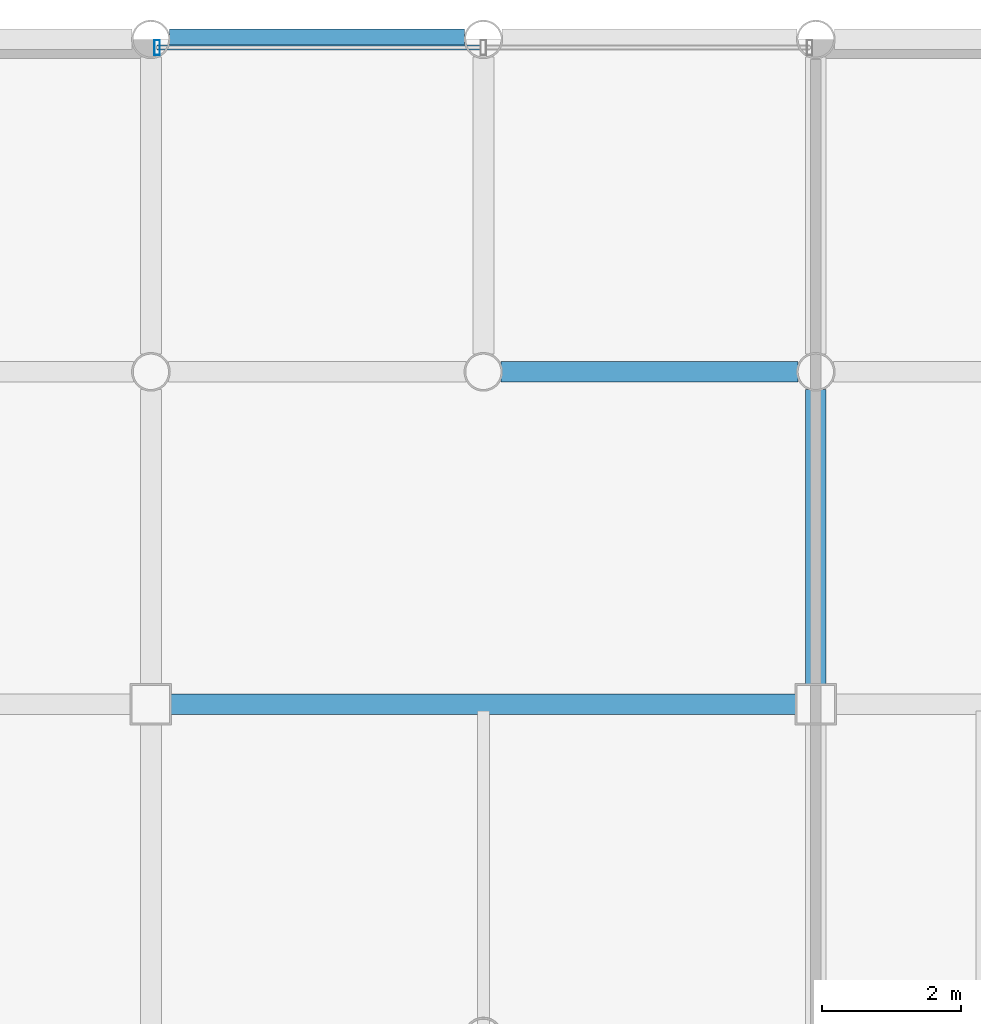
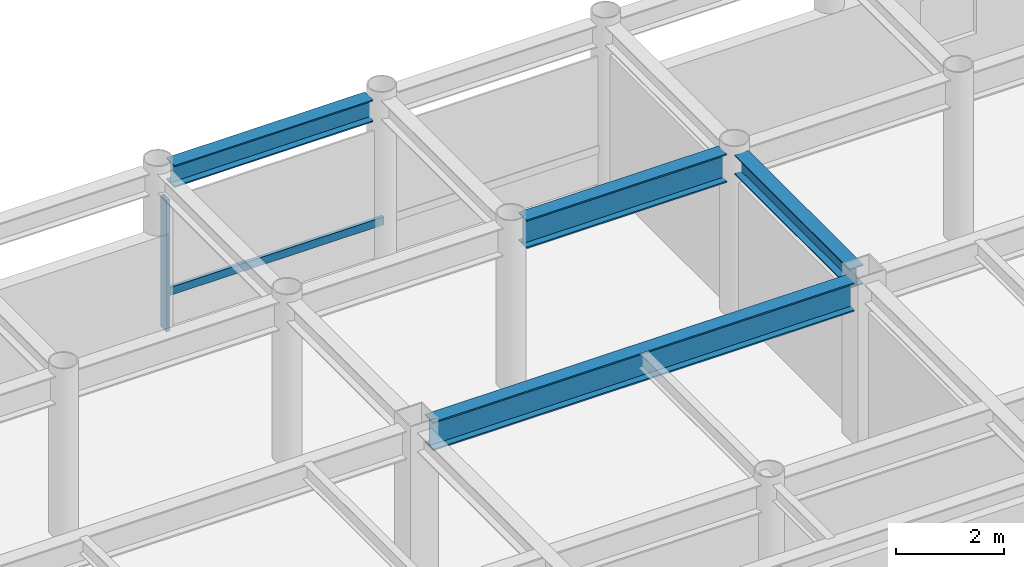
# One storey, part 14 of 21: 4 beams, 2 members, 1 element without a shape of its own.
"""IFC4 building model written with IfcOpenShell, lengths in metres."""

import ifcopenshell
import ifcopenshell.guid

model = None  # the IFC model being written
_history = None  # IfcOwnerHistory: only IFC2X3 demands one
_inside = {}  # id of a spatial element -> (the spatial element, [elements in it])
_under = {}  # id of a project, library or spatial element -> (it, [spatial elements below it])
_declared = {}  # id of a project -> (the project, [libraries it declares])
_typed = {}  # id of a type object -> (the type object, [elements of that type])
_made_of = {}  # id of a material, layer set ... -> (it, [elements and type objects made of it])


def new_model(schema):
    """Start an empty IFC model of exactly this schema.

    Asked for "IFC4X3", IfcOpenShell would pick the latest addendum, in which some entities
    have other attributes; the version numbers below select the first issue.
    IFC2X3 requires an IfcOwnerHistory on every rooted entity: one is made here for all.
    """
    global model, _history
    if schema == "IFC4X3":
        model = ifcopenshell.file(schema_version=(4, 3, 0, 0))
    else:
        model = ifcopenshell.file(schema=schema)
    _inside.clear()
    _under.clear()
    _declared.clear()
    _typed.clear()
    _made_of.clear()
    _history = None
    if model.schema == "IFC2X3":
        org = make("IfcOrganization", Name="unknown")
        user = make(
            "IfcPersonAndOrganization",
            ThePerson=make("IfcPerson", FamilyName="unknown"),
            TheOrganization=org,
        )
        app = make(
            "IfcApplication",
            ApplicationDeveloper=org,
            Version="unknown",
            ApplicationFullName="unknown",
            ApplicationIdentifier="unknown",
        )
        _history = make(
            "IfcOwnerHistory",
            OwningUser=user,
            OwningApplication=app,
            ChangeAction="ADDED",
            CreationDate=0,
        )
    return model


def make(cls, **values):
    """One entity of the class cls with the attributes given. An attribute that is None is left unset."""
    return model.create_entity(
        cls, **{name: value for name, value in values.items() if value is not None}
    )


def rooted(cls, **values):
    """An entity with a GlobalId (a new one), such as an element, a storey or a relation."""
    return make(cls, GlobalId=ifcopenshell.guid.new(), OwnerHistory=_history, **values)


def si_unit(unit_type, name, prefix=None):
    """IfcSIUnit, for example si_unit("LENGTHUNIT", "METRE", prefix="MILLI")."""
    return make("IfcSIUnit", UnitType=unit_type, Prefix=prefix, Name=name)


def assignment(units):
    """IfcUnitAssignment: the units of a project."""
    return None if units is None else make("IfcUnitAssignment", Units=units)


def point(xyz):
    """IfcCartesianPoint."""
    return None if xyz is None else make("IfcCartesianPoint", Coordinates=xyz)


def direction(xyz):
    """IfcDirection."""
    return None if xyz is None else make("IfcDirection", DirectionRatios=xyz)


def frame(location, z_axis=None, x_axis=None):
    """IfcAxis2Placement3D, a coordinate frame: its origin and axes. An axis left out is left unset."""
    return make(
        "IfcAxis2Placement3D",
        Location=point(location),
        Axis=direction(z_axis),
        RefDirection=direction(x_axis),
    )


def frame_2d(location, x_axis=None):
    """IfcAxis2Placement2D, a coordinate frame in the plane: its origin and x axis."""
    return make(
        "IfcAxis2Placement2D", Location=point(location), RefDirection=direction(x_axis)
    )


def origin():
    """The frame at (0, 0, 0) with its axes left unset."""
    return frame((0.0, 0.0, 0.0))


def origin_2d():
    """The frame at (0, 0) in the plane with its x axis left unset."""
    return frame_2d((0.0, 0.0))


def place(relative_to, where):
    """IfcLocalPlacement: puts the frame where relative to a parent placement (None: the world)."""
    return make(
        "IfcLocalPlacement", PlacementRelTo=relative_to, RelativePlacement=where
    )


def context(
    kind, dimensions, precision=None, world=None, true_north=None, identifier=None
):
    """IfcGeometricRepresentationContext, for example the 3D "Model" context."""
    return make(
        "IfcGeometricRepresentationContext",
        ContextIdentifier=identifier,
        ContextType=kind,
        CoordinateSpaceDimension=dimensions,
        Precision=precision,
        WorldCoordinateSystem=world,
        TrueNorth=true_north,
    )


def subcontext(parent, identifier, kind, view, scale=None):
    """IfcGeometricRepresentationSubContext, for example "Body" below "Model"."""
    return make(
        "IfcGeometricRepresentationSubContext",
        ContextIdentifier=identifier,
        ContextType=kind,
        ParentContext=parent,
        TargetScale=scale,
        TargetView=view,
    )


def project(units=None, contexts=None):
    """IfcProject with its units and contexts."""
    return rooted(
        "IfcProject",
        Name="project",
        RepresentationContexts=contexts,
        UnitsInContext=assignment(units),
    )


def spatial(cls, under=None, at=None, **own):
    """A site, building, storey or space (cls), placed at a placement, below another one or the project."""
    s = rooted(cls, ObjectPlacement=at, **own)
    if under is not None:
        _under.setdefault(under.id(), (under, []))[1].append(s)
    return s


def profile(cls, at=None, kind="AREA", **sizes):
    """A parametric profile (cls). Its sizes go by their IFC names, for example OverallWidth=200.0."""
    return make(cls, ProfileType=kind, Position=at, **sizes)


def hollow_rectangle(**sizes):
    """IfcRectangleHollowProfileDef."""
    return profile("IfcRectangleHollowProfileDef", **sizes)


def i_section(**sizes):
    """IfcIShapeProfileDef."""
    return profile("IfcIShapeProfileDef", **sizes)


def extrude(swept, where, along, depth):
    """IfcExtrudedAreaSolid: the profile swept, set in the frame where, extruded along a direction by depth."""
    return make(
        "IfcExtrudedAreaSolid",
        SweptArea=swept,
        Position=where,
        ExtrudedDirection=direction(along),
        Depth=depth,
    )


def shape(context_of_items, identifier, shape_type, items):
    """IfcShapeRepresentation: the items that make up one representation, for example the "Body"."""
    return make(
        "IfcShapeRepresentation",
        ContextOfItems=context_of_items,
        RepresentationIdentifier=identifier,
        RepresentationType=shape_type,
        Items=items,
    )


def material(Name=None, Category=None):
    """IfcMaterial."""
    return make("IfcMaterial", Name=Name, Category=Category)


def layer(
    of_material, thickness, ventilated=None, Name=None, Category=None, Priority=None
):
    """IfcMaterialLayer: one layer of a wall or slab, of a material (None: an air gap)."""
    return make(
        "IfcMaterialLayer",
        Material=of_material,
        LayerThickness=thickness,
        IsVentilated=ventilated,
        Name=Name,
        Category=Category,
        Priority=Priority,
    )


def layer_set(layers, Name=None):
    """IfcMaterialLayerSet."""
    return make("IfcMaterialLayerSet", MaterialLayers=layers, LayerSetName=Name)


def material_profile(
    of_material, cross_section, Name=None, Category=None, Priority=None
):
    """IfcMaterialProfile: a cross section and its material."""
    return make(
        "IfcMaterialProfile",
        Name=Name,
        Material=of_material,
        Profile=cross_section,
        Priority=Priority,
        Category=Category,
    )


def profile_set(profiles, Name=None, composite=None):
    """IfcMaterialProfileSet."""
    return make(
        "IfcMaterialProfileSet",
        Name=Name,
        MaterialProfiles=profiles,
        CompositeProfile=composite,
    )


def made_of(thing, what):
    """Note that an element or type object is made of a material, layer set ...; save() writes the relation."""
    if what is not None:
        _made_of.setdefault(what.id(), (what, []))[1].append(thing)
    return thing


def type_object(cls, material=None, **own):
    """A type object (cls), such as IfcWallType, which elements share."""
    return made_of(rooted(cls, **own), material)


def element(
    cls,
    number,
    at=None,
    inside=None,
    cuts=None,
    type_object=None,
    material=None,
    context=None,
    identifier="Body",
    shape_type=None,
    held_by="IfcProductDefinitionShape",
    body=None,
    shapes=None,
    **own,
):
    """One element of the class cls, such as IfcWall. Its Tag is "e" and its number.

    at: its placement. inside: the storey or other place that contains it. cuts: it is an
    opening in that element (IfcRelVoidsElement). A single representation is given by context,
    identifier, shape_type and body (its items); several are given by shapes. held_by: the class
    of the entity that holds the representations. save() writes the other relations.
    """
    e = rooted(cls, Tag="e%d" % number, ObjectPlacement=at, **own)
    if body is not None:
        shapes = [shape(context, identifier, shape_type, body)]
    if shapes is not None:
        e.Representation = make(held_by, Representations=shapes)
    if inside is not None:
        _inside.setdefault(inside.id(), (inside, []))[1].append(e)
    if cuts is not None:
        rooted(
            "IfcRelVoidsElement", RelatingBuildingElement=cuts, RelatedOpeningElement=e
        )
    if type_object is not None:
        _typed.setdefault(type_object.id(), (type_object, []))[1].append(e)
    return made_of(e, material)


def aggregate(whole, parts):
    """IfcRelAggregates: a whole, such as a stair, and the parts it consists of."""
    return rooted("IfcRelAggregates", RelatingObject=whole, RelatedObjects=parts)


def save(model, path):
    """Write the relations noted so far, then the file.

    IfcRelAggregates (storeys below a building ...), IfcRelContainedInSpatialStructure (elements
    in a storey), IfcRelDefinesByType, IfcRelAssociatesMaterial and IfcRelDeclares: one each for
    every whole, place, type object, material and project.
    """
    for whole, parts in _under.values():
        aggregate(whole, parts)
    for where, things in _inside.values():
        rooted(
            "IfcRelContainedInSpatialStructure",
            RelatedElements=things,
            RelatingStructure=where,
        )
    for kind, things in _typed.values():
        rooted("IfcRelDefinesByType", RelatedObjects=things, RelatingType=kind)
    for what, things in _made_of.values():
        rooted("IfcRelAssociatesMaterial", RelatedObjects=things, RelatingMaterial=what)
    for by, libraries in _declared.values():
        rooted("IfcRelDeclares", RelatingContext=by, RelatedDefinitions=libraries)
    model.write(path)


model = new_model("IFC4")

# Units and contexts
model_context = context("Model", 3, precision=1e-05, world=origin(), true_north=direction((0.0, 1.0)))
body_context = subcontext(model_context, "Body", "Model", "MODEL_VIEW")
ifc_project = project(units=[si_unit("LENGTHUNIT", "METRE"), si_unit("AREAUNIT", "SQUARE_METRE"), si_unit("VOLUMEUNIT", "CUBIC_METRE"), si_unit("PLANEANGLEUNIT", "RADIAN"), si_unit("MASSUNIT", "GRAM", prefix="KILO")], contexts=[model_context])

# Site, building, storey
site_placement = place(None, origin())
site = spatial("IfcSite", under=ifc_project, at=site_placement, CompositionType="ELEMENT")
building_placement = place(site_placement, origin())
building = spatial("IfcBuilding", under=site, at=building_placement, Name="Kallvorn Hotel Tower", CompositionType="ELEMENT")
storey_placement = place(building_placement, frame((0.0, 0.0, 268.5)))
storey = spatial("IfcBuildingStorey", under=building, at=storey_placement, Name="L67", CompositionType="ELEMENT", Elevation=268.5)

# Beams
ifc_material_1 = material(Name="Structural steel S355JR", Category="steel")
ifc_material_profile_1 = material_profile(ifc_material_1, i_section(OverallWidth=0.300048828125, OverallDepth=0.43994140625, WebThickness=0.011474609375, FlangeThickness=0.02099609375, at=origin_2d()), Name="HE 450 A")
ifc_profile_set_1 = profile_set([ifc_material_profile_1], Name="Structural steel S355JR")
beam_type_1 = type_object("IfcBeamType", Name="BM_HE450A", PredefinedType="BEAM", material=ifc_profile_set_1)
beam_1_placement = place(storey_placement, frame((4.800048828125, 14.675048828125, 3.449951171875), z_axis=(0.0, 1.0, 0.0), x_axis=(-1.0, 0.0, 0.0)))
element("IfcBeam", 1, at=beam_1_placement, inside=storey, type_object=beam_type_1, Name="L68 Primary Y-Girder 117", PredefinedType="BEAM", context=body_context, shape_type="SweptSolid", body=[
    extrude(i_section(OverallWidth=0.300048828125, OverallDepth=0.43994140625, WebThickness=0.011474609375, FlangeThickness=0.02099609375, at=origin_2d()), origin(), (0.0, 0.0, 1.0), 4.2705078125),
])
ifc_material_2 = material(Name="Structural steel S355JR", Category="steel")
ifc_material_profile_2 = material_profile(ifc_material_2, i_section(OverallWidth=0.300048828125, OverallDepth=0.5, WebThickness=0.014404296875, FlangeThickness=0.028076171875, at=origin_2d()), Name="HE 500 B")
ifc_profile_set_2 = profile_set([ifc_material_profile_2], Name="Structural steel S355JR")
beam_type_2 = type_object("IfcBeamType", Name="BM_HE500B", PredefinedType="SPANDREL", material=ifc_profile_set_2)
beam_2_placement = place(storey_placement, frame((-4.530517578125, 24.0, 3.419921875), z_axis=(1.0, 0.0, 0.0), x_axis=(0.0, 1.0, 0.0)))
element("IfcBeam", 2, at=beam_2_placement, inside=storey, type_object=beam_type_2, Name="L68 Perimeter Spandrel 168", PredefinedType="SPANDREL", context=body_context, shape_type="SweptSolid", body=[
    extrude(i_section(OverallWidth=0.300048828125, OverallDepth=0.5, WebThickness=0.014404296875, FlangeThickness=0.028076171875, at=origin_2d()), origin(), (0.0, 0.0, 1.0), 4.260986328125),
])
ifc_material_3 = material(Name="Structural steel S355JR", Category="steel")
ifc_material_profile_3 = material_profile(ifc_material_3, i_section(OverallWidth=0.300048828125, OverallDepth=0.64990234375, WebThickness=0.01611328125, FlangeThickness=0.031005859375, at=origin_2d()), Name="HE 650 B")
ifc_profile_set_3 = profile_set([ifc_material_profile_3], Name="Structural steel S355JR")
beam_type_3 = type_object("IfcBeamType", Name="BM_HE650B", PredefinedType="BEAM", material=ifc_profile_set_3)
beam_3_placement = place(storey_placement, frame((-4.52490234375, 14.39990234375, 3.344970703125), z_axis=(1.0, 0.0, 0.0), x_axis=(0.0, 1.0, 0.0)))
element("IfcBeam", 3, at=beam_3_placement, inside=storey, type_object=beam_type_3, Name="L68 Primary X-Girder 55", PredefinedType="BEAM", context=body_context, shape_type="SweptSolid", body=[
    extrude(i_section(OverallWidth=0.300048828125, OverallDepth=0.64990234375, WebThickness=0.01611328125, FlangeThickness=0.031005859375, at=origin_2d()), origin(), (0.0, 0.0, 1.0), 9.0498046875),
])
beam_4_placement = place(storey_placement, frame((0.25439453125, 19.199951171875, 3.344970703125), z_axis=(1.0, 0.0, 0.0), x_axis=(0.0, 1.0, 0.0)))
element("IfcBeam", 4, at=beam_4_placement, inside=storey, type_object=beam_type_3, Name="L68 Primary X-Girder 67", PredefinedType="BEAM", context=body_context, shape_type="SweptSolid", body=[
    extrude(i_section(OverallWidth=0.300048828125, OverallDepth=0.64990234375, WebThickness=0.01611328125, FlangeThickness=0.031005859375, at=origin_2d()), origin(), (0.0, 0.0, 1.0), 4.291015625),
])

# Curtain wall, members
ifc_material_4 = material(Name="Thermally broken black-anodised aluminium AA 6063-T6", Category="aluminium")
ifc_layer = layer(ifc_material_4, 0.22998046875)
ifc_layer_set = layer_set([ifc_layer], Name="CW_SYS_5_HOTEL_HIGH")
curtain_wall_type = type_object("IfcCurtainWallType", Name="CW_SYS_5_HOTEL_HIGH", PredefinedType="USERDEFINED", material=ifc_layer_set)
curtain_wall_placement = place(storey_placement, origin())
curtain_wall = element("IfcCurtainWall", 5, at=curtain_wall_placement, inside=storey, type_object=curtain_wall_type, Name="L67 Dark-Glass Curtain Wall CW-L67-NC", ObjectType="UNITISED CURTAIN WALL", PredefinedType="USERDEFINED")
ifc_material_5 = material(Name="Thermally broken black-anodised aluminium AA 6063-T6", Category="aluminium")
ifc_material_profile_4 = material_profile(ifc_material_5, hollow_rectangle(XDim=0.080078125, YDim=0.219970703125, WallThickness=0.0048828125, at=origin_2d()), Name="MUL 220x80")
ifc_profile_set_4 = profile_set([ifc_material_profile_4], Name="Thermally broken black-anodised aluminium AA 6063-T6")
member_type_1 = type_object("IfcMemberType", Name="CW_MULLION_220x80", PredefinedType="MULLION", material=ifc_profile_set_4)
member_1_placement = place(storey_placement, frame((-4.7099609375, 23.8798828125, 0.02001953125), z_axis=(0.0, 0.0, 1.0), x_axis=(1.0, 0.0, 0.0)))
member_1 = element("IfcMember", 6, at=member_1_placement, type_object=member_type_1, Name="CW-L67-NC Mullion 00", PredefinedType="MULLION", context=body_context, shape_type="SweptSolid", body=[
    extrude(hollow_rectangle(XDim=0.080078125, YDim=0.219970703125, WallThickness=0.0048828125, at=origin_2d()), origin(), (0.0, 0.0, 1.0), 2.97998046875),
])
ifc_material_6 = material(Name="Thermally broken black-anodised aluminium AA 6063-T6", Category="aluminium")
ifc_material_profile_5 = material_profile(ifc_material_6, hollow_rectangle(XDim=0.070068359375, YDim=0.179931640625, WallThickness=0.00390625, at=origin_2d()), Name="TRN 180x70")
ifc_profile_set_5 = profile_set([ifc_material_profile_5], Name="Thermally broken black-anodised aluminium AA 6063-T6")
member_type_2 = type_object("IfcMemberType", Name="CW_TRANSOM_180x70", PredefinedType="USERDEFINED", material=ifc_profile_set_5)
member_2_placement = place(storey_placement, frame((-4.7099609375, 23.8798828125, 0.85009765625), z_axis=(1.0, 0.0, 0.0), x_axis=(0.0, 1.0, 0.0)))
member_2 = element("IfcMember", 7, at=member_2_placement, type_object=member_type_2, Name="CW-L67-NC Transom 00M", ObjectType="TRANSOM", PredefinedType="USERDEFINED", context=body_context, shape_type="SweptSolid", body=[
    extrude(hollow_rectangle(XDim=0.070068359375, YDim=0.179931640625, WallThickness=0.00390625, at=origin_2d()), origin(), (0.0, 0.0, 1.0), 4.669921875),
])
aggregate(curtain_wall, [member_1, member_2])

save(model, "model.ifc")
